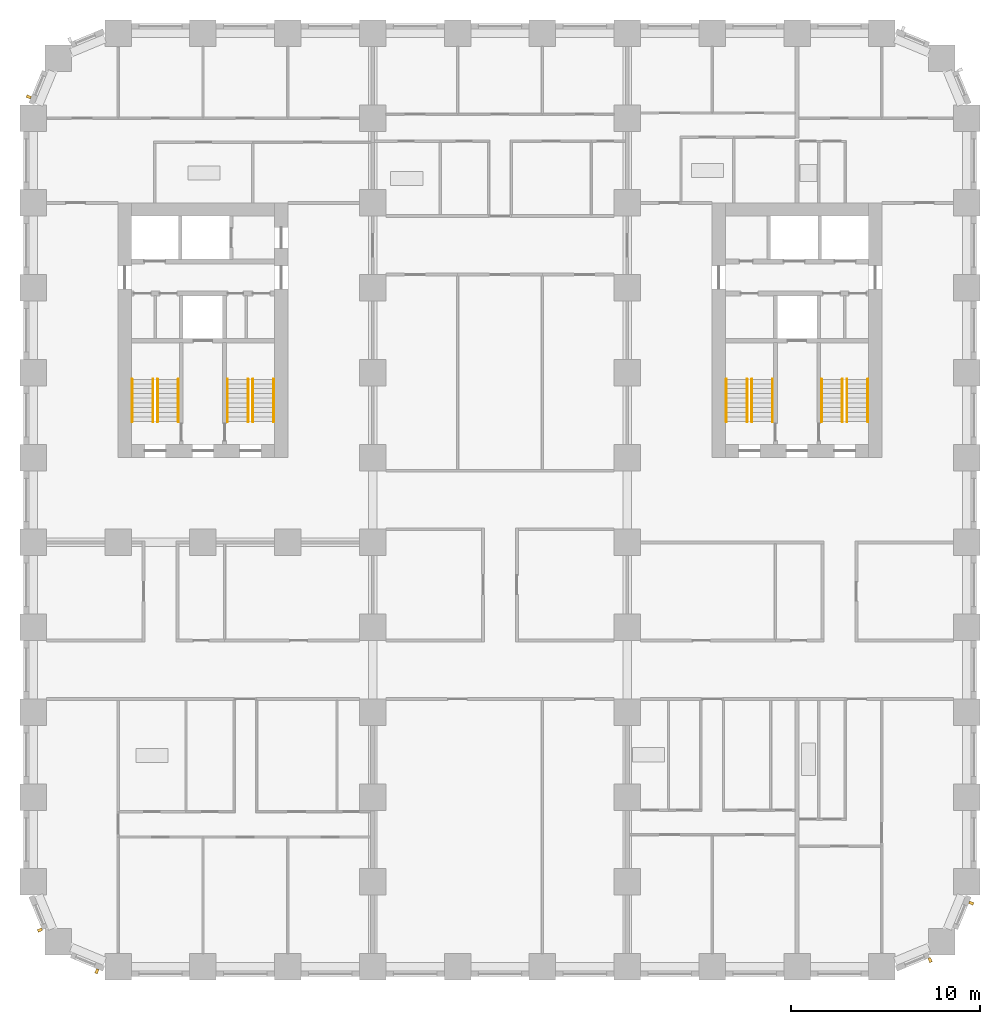
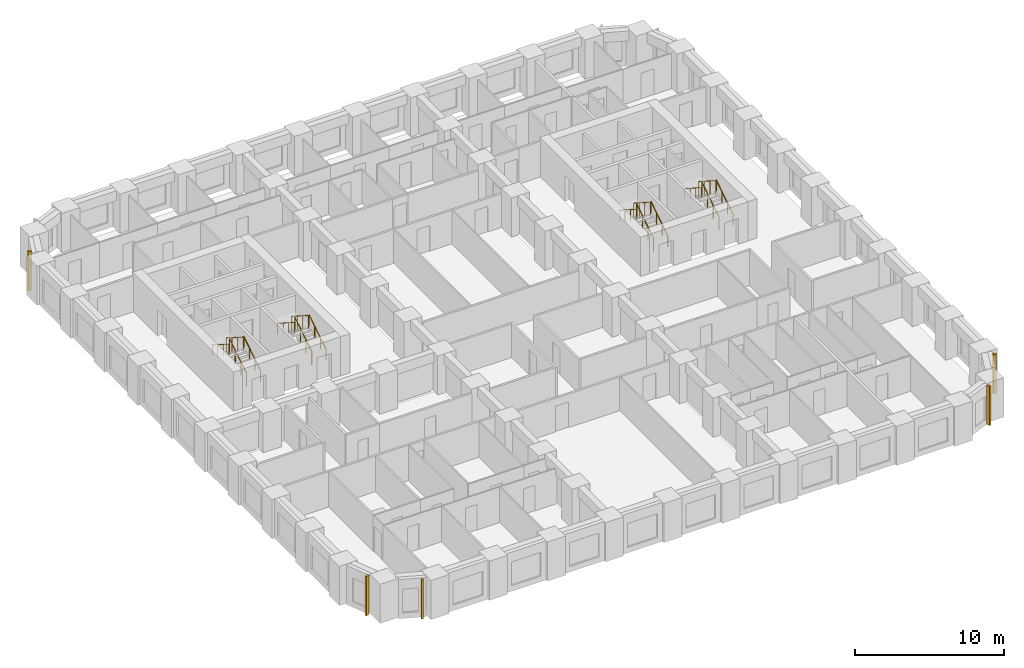
# One storey, part 11 of 13: 16 railings, 5 shading devices.
"""IFC4 building model written with IfcOpenShell, lengths in metres."""

from ifc_helpers import new_model, si_unit, direction, frame, origin, origin_2d, place, context, subcontext, project, spatial, rectangle, circle, extrude, material, type_object, element, save


model = new_model("IFC4")

# Units and contexts
model_context = context("Model", 3, precision=1e-05, world=origin(), true_north=direction((0.0, 1.0)))
body_context = subcontext(model_context, "Body", "Model", "MODEL_VIEW")
ifc_project = project(units=[si_unit("LENGTHUNIT", "METRE"), si_unit("AREAUNIT", "SQUARE_METRE"), si_unit("VOLUMEUNIT", "CUBIC_METRE"), si_unit("PLANEANGLEUNIT", "RADIAN"), si_unit("MASSUNIT", "GRAM", prefix="KILO")], contexts=[model_context])

# Site, building, storey
site_placement = place(None, origin())
site = spatial("IfcSite", under=ifc_project, at=site_placement, CompositionType="ELEMENT")
building_placement = place(site_placement, origin())
building = spatial("IfcBuilding", under=site, at=building_placement, Name="Girih Gate Residences", CompositionType="ELEMENT")
storey_placement = place(building_placement, frame((0.0, 0.0, 56.0)))
storey = spatial("IfcBuildingStorey", under=building, at=storey_placement, Name="L14", CompositionType="ELEMENT", Elevation=56.0)

# Shading devices
ifc_material_1 = material(Name="Precast concrete C50/60", Category="concrete")
shading_device_type = type_object("IfcShadingDeviceType", Name="Corner rib 150x250", PredefinedType="USERDEFINED", material=ifc_material_1)
for number, where, z_axis, x_axis, name in (
    (1, (0.35498046875, 1.9443359375, 0.0), (0.0, 0.0, 1.0), (0.382683432365, -0.923879532511, 0.0), "Corner rib SW0000_0045.0"),
    (2, (3.376220703125, -0.238037109375, 0.0), (0.0, 0.0, 1.0), (0.923879532511, -0.382683432365, 0.0), "Corner rib SW0013_0013.0"),
    (3, (47.5556640625, 0.35498046875, 0.0), (0.0, 0.0, 1.0), (0.923879532511, 0.382683432365, 0.0), "Corner rib SE0450_0000.0"),
    (4, (49.738037109375, 3.376220703125, 0.0), (0.0, 0.0, 1.0), (0.382683432365, 0.923879532511, 0.0), "Corner rib SE0482_0013.0"),
    (5, (-0.238037109375, 46.123779296875, 0.0), (0.0, 0.0, 1.0), (-0.382683432365, -0.923879532511, 0.0), "Corner rib NW0013_0482.0"),
):
    element("IfcShadingDevice", number, at=place(storey_placement, frame(where, z_axis=z_axis, x_axis=x_axis)), inside=storey, type_object=shading_device_type, Name=name, ObjectType="FIN", PredefinedType="USERDEFINED", context=body_context, shape_type="SweptSolid", body=[
        extrude(rectangle(XDim=0.14990234375, YDim=0.25, at=origin_2d()), origin(), (0.0, 0.0, 1.0), 3.199951171875),
    ])

# Railings
ifc_material_2 = material(Name="Stainless steel", Category="steel")
railing_type_1 = type_object("IfcRailingType", Name="Stair guard 1100", PredefinedType="GUARDRAIL", material=ifc_material_2)
railing_1_placement = place(storey_placement, frame((6.60009765625, 28.89990234375, 0.159912109375)))
element("IfcRailing", 6, at=railing_1_placement, inside=storey, type_object=railing_type_1, Name="L14 ST-W1 stair guard 1", PredefinedType="GUARDRAIL", context=body_context, shape_type="SweptSolid", body=[
    extrude(circle(Radius=0.02392578125, at=origin_2d()), frame((0.0, 0.0, 1.076171875), z_axis=(0.0, 0.842239864353, 0.539102968731), x_axis=(-1.0, 0.0, 0.0)), (0.0, 0.0, 1.0), 2.67138671875),
    extrude(circle(Radius=0.02099609375, at=origin_2d()), origin(), (0.0, 0.0, 1.0), 1.052001953125),
    extrude(circle(Radius=0.02099609375, at=origin_2d()), frame((0.0, 0.75, 0.47998046875)), (0.0, 0.0, 1.0), 1.052001953125),
    extrude(circle(Radius=0.02099609375, at=origin_2d()), frame((0.0, 1.5, 0.960205078125)), (0.0, 0.0, 1.0), 1.052001953125),
    extrude(circle(Radius=0.02099609375, at=origin_2d()), frame((0.0, 2.25, 1.440185546875)), (0.0, 0.0, 1.0), 1.052001953125),
])
railing_2_placement = place(storey_placement, frame((6.35009765625, 31.14990234375, 1.760009765625)))
element("IfcRailing", 7, at=railing_2_placement, inside=storey, type_object=railing_type_1, Name="L14 ST-W1 stair guard 2", PredefinedType="GUARDRAIL", context=body_context, shape_type="SweptSolid", body=[
    extrude(circle(Radius=0.02392578125, at=origin_2d()), frame((0.0, 0.0, 1.076171875), z_axis=(0.0, -0.842281359387, 0.539038135598), x_axis=(1.0, 0.0, 0.0)), (0.0, 0.0, 1.0), 2.67138671875),
    extrude(circle(Radius=0.02099609375, at=origin_2d()), origin(), (0.0, 0.0, 1.0), 1.052001953125),
    extrude(circle(Radius=0.02099609375, at=origin_2d()), frame((0.0, -0.75, 0.47998046875)), (0.0, 0.0, 1.0), 1.052001953125),
    extrude(circle(Radius=0.02099609375, at=origin_2d()), frame((0.0, -1.5, 0.9599609375)), (0.0, 0.0, 1.0), 1.052001953125),
    extrude(circle(Radius=0.02099609375, at=origin_2d()), frame((0.0, -2.25, 1.43994140625)), (0.0, 0.0, 1.0), 1.052001953125),
])
railing_3_placement = place(storey_placement, frame((11.64990234375, 28.89990234375, 0.159912109375)))
element("IfcRailing", 8, at=railing_3_placement, inside=storey, type_object=railing_type_1, Name="L14 ST-W2 stair guard 1", PredefinedType="GUARDRAIL", context=body_context, shape_type="SweptSolid", body=[
    extrude(circle(Radius=0.02392578125, at=origin_2d()), frame((0.0, 0.0, 1.076171875), z_axis=(0.0, 0.842239864353, 0.539102968731), x_axis=(-1.0, 0.0, 0.0)), (0.0, 0.0, 1.0), 2.67138671875),
    extrude(circle(Radius=0.02099609375, at=origin_2d()), origin(), (0.0, 0.0, 1.0), 1.052001953125),
    extrude(circle(Radius=0.02099609375, at=origin_2d()), frame((0.0, 0.75, 0.47998046875)), (0.0, 0.0, 1.0), 1.052001953125),
    extrude(circle(Radius=0.02099609375, at=origin_2d()), frame((0.0, 1.5, 0.960205078125)), (0.0, 0.0, 1.0), 1.052001953125),
    extrude(circle(Radius=0.02099609375, at=origin_2d()), frame((0.0, 2.25, 1.440185546875)), (0.0, 0.0, 1.0), 1.052001953125),
])
railing_4_placement = place(storey_placement, frame((11.39990234375, 31.14990234375, 1.760009765625)))
element("IfcRailing", 9, at=railing_4_placement, inside=storey, type_object=railing_type_1, Name="L14 ST-W2 stair guard 2", PredefinedType="GUARDRAIL", context=body_context, shape_type="SweptSolid", body=[
    extrude(circle(Radius=0.02392578125, at=origin_2d()), frame((0.0, 0.0, 1.076171875), z_axis=(0.0, -0.842281359387, 0.539038135598), x_axis=(1.0, 0.0, 0.0)), (0.0, 0.0, 1.0), 2.67138671875),
    extrude(circle(Radius=0.02099609375, at=origin_2d()), origin(), (0.0, 0.0, 1.0), 1.052001953125),
    extrude(circle(Radius=0.02099609375, at=origin_2d()), frame((0.0, -0.75, 0.47998046875)), (0.0, 0.0, 1.0), 1.052001953125),
    extrude(circle(Radius=0.02099609375, at=origin_2d()), frame((0.0, -1.5, 0.9599609375)), (0.0, 0.0, 1.0), 1.052001953125),
    extrude(circle(Radius=0.02099609375, at=origin_2d()), frame((0.0, -2.25, 1.43994140625)), (0.0, 0.0, 1.0), 1.052001953125),
])
railing_5_placement = place(storey_placement, frame((43.14990234375, 28.89990234375, 0.159912109375)))
element("IfcRailing", 10, at=railing_5_placement, inside=storey, type_object=railing_type_1, Name="L14 ST-E1 stair guard 1", PredefinedType="GUARDRAIL", context=body_context, shape_type="SweptSolid", body=[
    extrude(circle(Radius=0.02392578125, at=origin_2d()), frame((0.0, 0.0, 1.076171875), z_axis=(0.0, 0.842239864353, 0.539102968731), x_axis=(-1.0, 0.0, 0.0)), (0.0, 0.0, 1.0), 2.67138671875),
    extrude(circle(Radius=0.02099609375, at=origin_2d()), origin(), (0.0, 0.0, 1.0), 1.052001953125),
    extrude(circle(Radius=0.02099609375, at=origin_2d()), frame((0.0, 0.75, 0.47998046875)), (0.0, 0.0, 1.0), 1.052001953125),
    extrude(circle(Radius=0.02099609375, at=origin_2d()), frame((0.0, 1.5, 0.960205078125)), (0.0, 0.0, 1.0), 1.052001953125),
    extrude(circle(Radius=0.02099609375, at=origin_2d()), frame((0.0, 2.25, 1.440185546875)), (0.0, 0.0, 1.0), 1.052001953125),
])
railing_6_placement = place(storey_placement, frame((42.89990234375, 31.14990234375, 1.760009765625)))
element("IfcRailing", 11, at=railing_6_placement, inside=storey, type_object=railing_type_1, Name="L14 ST-E1 stair guard 2", PredefinedType="GUARDRAIL", context=body_context, shape_type="SweptSolid", body=[
    extrude(circle(Radius=0.02392578125, at=origin_2d()), frame((0.0, 0.0, 1.076171875), z_axis=(0.0, -0.842281359387, 0.539038135598), x_axis=(1.0, 0.0, 0.0)), (0.0, 0.0, 1.0), 2.67138671875),
    extrude(circle(Radius=0.02099609375, at=origin_2d()), origin(), (0.0, 0.0, 1.0), 1.052001953125),
    extrude(circle(Radius=0.02099609375, at=origin_2d()), frame((0.0, -0.75, 0.47998046875)), (0.0, 0.0, 1.0), 1.052001953125),
    extrude(circle(Radius=0.02099609375, at=origin_2d()), frame((0.0, -1.5, 0.9599609375)), (0.0, 0.0, 1.0), 1.052001953125),
    extrude(circle(Radius=0.02099609375, at=origin_2d()), frame((0.0, -2.25, 1.43994140625)), (0.0, 0.0, 1.0), 1.052001953125),
])
railing_7_placement = place(storey_placement, frame((38.10009765625, 28.89990234375, 0.159912109375)))
element("IfcRailing", 12, at=railing_7_placement, inside=storey, type_object=railing_type_1, Name="L14 ST-E2 stair guard 1", PredefinedType="GUARDRAIL", context=body_context, shape_type="SweptSolid", body=[
    extrude(circle(Radius=0.02392578125, at=origin_2d()), frame((0.0, 0.0, 1.076171875), z_axis=(0.0, 0.842239864353, 0.539102968731), x_axis=(-1.0, 0.0, 0.0)), (0.0, 0.0, 1.0), 2.67138671875),
    extrude(circle(Radius=0.02099609375, at=origin_2d()), origin(), (0.0, 0.0, 1.0), 1.052001953125),
    extrude(circle(Radius=0.02099609375, at=origin_2d()), frame((0.0, 0.75, 0.47998046875)), (0.0, 0.0, 1.0), 1.052001953125),
    extrude(circle(Radius=0.02099609375, at=origin_2d()), frame((0.0, 1.5, 0.960205078125)), (0.0, 0.0, 1.0), 1.052001953125),
    extrude(circle(Radius=0.02099609375, at=origin_2d()), frame((0.0, 2.25, 1.440185546875)), (0.0, 0.0, 1.0), 1.052001953125),
])
railing_8_placement = place(storey_placement, frame((37.85009765625, 31.14990234375, 1.760009765625)))
element("IfcRailing", 13, at=railing_8_placement, inside=storey, type_object=railing_type_1, Name="L14 ST-E2 stair guard 2", PredefinedType="GUARDRAIL", context=body_context, shape_type="SweptSolid", body=[
    extrude(circle(Radius=0.02392578125, at=origin_2d()), frame((0.0, 0.0, 1.076171875), z_axis=(0.0, -0.842281359387, 0.539038135598), x_axis=(1.0, 0.0, 0.0)), (0.0, 0.0, 1.0), 2.67138671875),
    extrude(circle(Radius=0.02099609375, at=origin_2d()), origin(), (0.0, 0.0, 1.0), 1.052001953125),
    extrude(circle(Radius=0.02099609375, at=origin_2d()), frame((0.0, -0.75, 0.47998046875)), (0.0, 0.0, 1.0), 1.052001953125),
    extrude(circle(Radius=0.02099609375, at=origin_2d()), frame((0.0, -1.5, 0.9599609375)), (0.0, 0.0, 1.0), 1.052001953125),
    extrude(circle(Radius=0.02099609375, at=origin_2d()), frame((0.0, -2.25, 1.43994140625)), (0.0, 0.0, 1.0), 1.052001953125),
])
railing_type_2 = type_object("IfcRailingType", Name="Stair handrail 900", PredefinedType="HANDRAIL", material=ifc_material_2)
railing_9_placement = place(storey_placement, frame((7.699951171875, 28.89990234375, 0.159912109375)))
element("IfcRailing", 14, at=railing_9_placement, inside=storey, type_object=railing_type_2, Name="L14 ST-W1 stair handrail 1", PredefinedType="HANDRAIL", context=body_context, shape_type="SweptSolid", body=[
    extrude(circle(Radius=0.02392578125, at=origin_2d()), frame((0.0, 0.0, 0.8857421875), z_axis=(0.0, 0.842239864353, 0.539102968731), x_axis=(-1.0, 0.0, 0.0)), (0.0, 0.0, 1.0), 2.67138671875),
    extrude(circle(Radius=0.02099609375, at=origin_2d()), origin(), (0.0, 0.0, 1.0), 0.86181640625),
    extrude(circle(Radius=0.02099609375, at=origin_2d()), frame((0.0, 0.75, 0.47998046875)), (0.0, 0.0, 1.0), 0.86181640625),
    extrude(circle(Radius=0.02099609375, at=origin_2d()), frame((0.0, 1.5, 0.960205078125)), (0.0, 0.0, 1.0), 0.86181640625),
    extrude(circle(Radius=0.02099609375, at=origin_2d()), frame((0.0, 2.25, 1.440185546875)), (0.0, 0.0, 1.0), 0.86181640625),
])
railing_10_placement = place(storey_placement, frame((5.25, 31.14990234375, 1.760009765625)))
element("IfcRailing", 15, at=railing_10_placement, inside=storey, type_object=railing_type_2, Name="L14 ST-W1 stair handrail 2", PredefinedType="HANDRAIL", context=body_context, shape_type="SweptSolid", body=[
    extrude(circle(Radius=0.02392578125, at=origin_2d()), frame((0.0, 0.0, 0.8857421875), z_axis=(0.0, -0.842281359387, 0.539038135598), x_axis=(1.0, 0.0, 0.0)), (0.0, 0.0, 1.0), 2.67138671875),
    extrude(circle(Radius=0.02099609375, at=origin_2d()), origin(), (0.0, 0.0, 1.0), 0.86181640625),
    extrude(circle(Radius=0.02099609375, at=origin_2d()), frame((0.0, -0.75, 0.47998046875)), (0.0, 0.0, 1.0), 0.86181640625),
    extrude(circle(Radius=0.02099609375, at=origin_2d()), frame((0.0, -1.5, 0.9599609375)), (0.0, 0.0, 1.0), 0.86181640625),
    extrude(circle(Radius=0.02099609375, at=origin_2d()), frame((0.0, -2.25, 1.43994140625)), (0.0, 0.0, 1.0), 0.86181640625),
])
railing_11_placement = place(storey_placement, frame((12.75, 28.89990234375, 0.159912109375)))
element("IfcRailing", 16, at=railing_11_placement, inside=storey, type_object=railing_type_2, Name="L14 ST-W2 stair handrail 1", PredefinedType="HANDRAIL", context=body_context, shape_type="SweptSolid", body=[
    extrude(circle(Radius=0.02392578125, at=origin_2d()), frame((0.0, 0.0, 0.8857421875), z_axis=(0.0, 0.842239864353, 0.539102968731), x_axis=(-1.0, 0.0, 0.0)), (0.0, 0.0, 1.0), 2.67138671875),
    extrude(circle(Radius=0.02099609375, at=origin_2d()), origin(), (0.0, 0.0, 1.0), 0.86181640625),
    extrude(circle(Radius=0.02099609375, at=origin_2d()), frame((0.0, 0.75, 0.47998046875)), (0.0, 0.0, 1.0), 0.86181640625),
    extrude(circle(Radius=0.02099609375, at=origin_2d()), frame((0.0, 1.5, 0.960205078125)), (0.0, 0.0, 1.0), 0.86181640625),
    extrude(circle(Radius=0.02099609375, at=origin_2d()), frame((0.0, 2.25, 1.440185546875)), (0.0, 0.0, 1.0), 0.86181640625),
])
railing_12_placement = place(storey_placement, frame((10.300048828125, 31.14990234375, 1.760009765625)))
element("IfcRailing", 17, at=railing_12_placement, inside=storey, type_object=railing_type_2, Name="L14 ST-W2 stair handrail 2", PredefinedType="HANDRAIL", context=body_context, shape_type="SweptSolid", body=[
    extrude(circle(Radius=0.02392578125, at=origin_2d()), frame((0.0, 0.0, 0.8857421875), z_axis=(0.0, -0.842281359387, 0.539038135598), x_axis=(1.0, 0.0, 0.0)), (0.0, 0.0, 1.0), 2.67138671875),
    extrude(circle(Radius=0.02099609375, at=origin_2d()), origin(), (0.0, 0.0, 1.0), 0.86181640625),
    extrude(circle(Radius=0.02099609375, at=origin_2d()), frame((0.0, -0.75, 0.47998046875)), (0.0, 0.0, 1.0), 0.86181640625),
    extrude(circle(Radius=0.02099609375, at=origin_2d()), frame((0.0, -1.5, 0.9599609375)), (0.0, 0.0, 1.0), 0.86181640625),
    extrude(circle(Radius=0.02099609375, at=origin_2d()), frame((0.0, -2.25, 1.43994140625)), (0.0, 0.0, 1.0), 0.86181640625),
])
railing_13_placement = place(storey_placement, frame((44.25, 28.89990234375, 0.159912109375)))
element("IfcRailing", 18, at=railing_13_placement, inside=storey, type_object=railing_type_2, Name="L14 ST-E1 stair handrail 1", PredefinedType="HANDRAIL", context=body_context, shape_type="SweptSolid", body=[
    extrude(circle(Radius=0.02392578125, at=origin_2d()), frame((0.0, 0.0, 0.8857421875), z_axis=(0.0, 0.842239864353, 0.539102968731), x_axis=(-1.0, 0.0, 0.0)), (0.0, 0.0, 1.0), 2.67138671875),
    extrude(circle(Radius=0.02099609375, at=origin_2d()), origin(), (0.0, 0.0, 1.0), 0.86181640625),
    extrude(circle(Radius=0.02099609375, at=origin_2d()), frame((0.0, 0.75, 0.47998046875)), (0.0, 0.0, 1.0), 0.86181640625),
    extrude(circle(Radius=0.02099609375, at=origin_2d()), frame((0.0, 1.5, 0.960205078125)), (0.0, 0.0, 1.0), 0.86181640625),
    extrude(circle(Radius=0.02099609375, at=origin_2d()), frame((0.0, 2.25, 1.440185546875)), (0.0, 0.0, 1.0), 0.86181640625),
])
railing_14_placement = place(storey_placement, frame((41.800048828125, 31.14990234375, 1.760009765625)))
element("IfcRailing", 19, at=railing_14_placement, inside=storey, type_object=railing_type_2, Name="L14 ST-E1 stair handrail 2", PredefinedType="HANDRAIL", context=body_context, shape_type="SweptSolid", body=[
    extrude(circle(Radius=0.02392578125, at=origin_2d()), frame((0.0, 0.0, 0.8857421875), z_axis=(0.0, -0.842281359387, 0.539038135598), x_axis=(1.0, 0.0, 0.0)), (0.0, 0.0, 1.0), 2.67138671875),
    extrude(circle(Radius=0.02099609375, at=origin_2d()), origin(), (0.0, 0.0, 1.0), 0.86181640625),
    extrude(circle(Radius=0.02099609375, at=origin_2d()), frame((0.0, -0.75, 0.47998046875)), (0.0, 0.0, 1.0), 0.86181640625),
    extrude(circle(Radius=0.02099609375, at=origin_2d()), frame((0.0, -1.5, 0.9599609375)), (0.0, 0.0, 1.0), 0.86181640625),
    extrude(circle(Radius=0.02099609375, at=origin_2d()), frame((0.0, -2.25, 1.43994140625)), (0.0, 0.0, 1.0), 0.86181640625),
])
railing_15_placement = place(storey_placement, frame((39.199951171875, 28.89990234375, 0.159912109375)))
element("IfcRailing", 20, at=railing_15_placement, inside=storey, type_object=railing_type_2, Name="L14 ST-E2 stair handrail 1", PredefinedType="HANDRAIL", context=body_context, shape_type="SweptSolid", body=[
    extrude(circle(Radius=0.02392578125, at=origin_2d()), frame((0.0, 0.0, 0.8857421875), z_axis=(0.0, 0.842239864353, 0.539102968731), x_axis=(-1.0, 0.0, 0.0)), (0.0, 0.0, 1.0), 2.67138671875),
    extrude(circle(Radius=0.02099609375, at=origin_2d()), origin(), (0.0, 0.0, 1.0), 0.86181640625),
    extrude(circle(Radius=0.02099609375, at=origin_2d()), frame((0.0, 0.75, 0.47998046875)), (0.0, 0.0, 1.0), 0.86181640625),
    extrude(circle(Radius=0.02099609375, at=origin_2d()), frame((0.0, 1.5, 0.960205078125)), (0.0, 0.0, 1.0), 0.86181640625),
    extrude(circle(Radius=0.02099609375, at=origin_2d()), frame((0.0, 2.25, 1.440185546875)), (0.0, 0.0, 1.0), 0.86181640625),
])
railing_16_placement = place(storey_placement, frame((36.75, 31.14990234375, 1.760009765625)))
element("IfcRailing", 21, at=railing_16_placement, inside=storey, type_object=railing_type_2, Name="L14 ST-E2 stair handrail 2", PredefinedType="HANDRAIL", context=body_context, shape_type="SweptSolid", body=[
    extrude(circle(Radius=0.02392578125, at=origin_2d()), frame((0.0, 0.0, 0.8857421875), z_axis=(0.0, -0.842281359387, 0.539038135598), x_axis=(1.0, 0.0, 0.0)), (0.0, 0.0, 1.0), 2.67138671875),
    extrude(circle(Radius=0.02099609375, at=origin_2d()), origin(), (0.0, 0.0, 1.0), 0.86181640625),
    extrude(circle(Radius=0.02099609375, at=origin_2d()), frame((0.0, -0.75, 0.47998046875)), (0.0, 0.0, 1.0), 0.86181640625),
    extrude(circle(Radius=0.02099609375, at=origin_2d()), frame((0.0, -1.5, 0.9599609375)), (0.0, 0.0, 1.0), 0.86181640625),
    extrude(circle(Radius=0.02099609375, at=origin_2d()), frame((0.0, -2.25, 1.43994140625)), (0.0, 0.0, 1.0), 0.86181640625),
])

save(model, "model.ifc")
